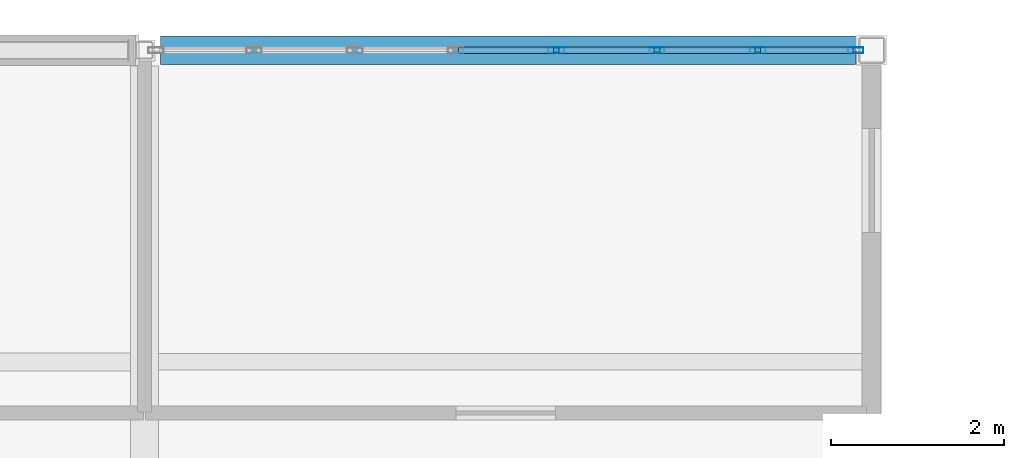
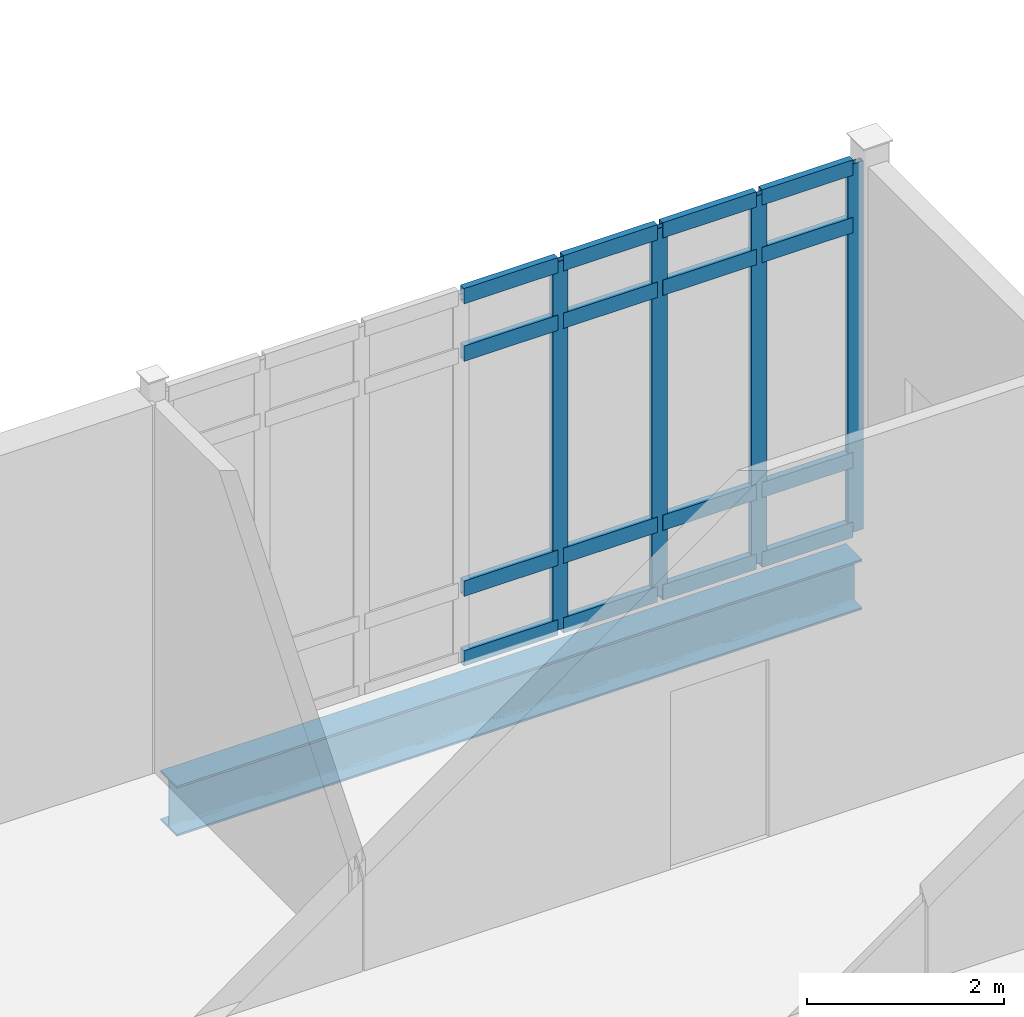
# One storey, part 71 of 153: 20 members, 1 beam, 1 element without a shape of its own.
"""IFC4 building model written with IfcOpenShell, lengths in metres."""

from ifc_helpers import new_model, si_unit, direction, frame, origin, origin_2d, place, context, subcontext, project, spatial, hollow_rectangle, i_section, extrude, material, layer, layer_set, material_profile, profile_set, type_object, element, aggregate, save


model = new_model("IFC4")

# Units and contexts
model_context = context("Model", 3, precision=1e-05, world=origin(), true_north=direction((0.0, 1.0)))
body_context = subcontext(model_context, "Body", "Model", "MODEL_VIEW")
ifc_project = project(units=[si_unit("LENGTHUNIT", "METRE"), si_unit("AREAUNIT", "SQUARE_METRE"), si_unit("VOLUMEUNIT", "CUBIC_METRE"), si_unit("PLANEANGLEUNIT", "RADIAN"), si_unit("MASSUNIT", "GRAM", prefix="KILO")], contexts=[model_context])

# Site, building, storey
site_placement = place(None, origin())
site = spatial("IfcSite", under=ifc_project, at=site_placement, CompositionType="ELEMENT")
building_placement = place(site_placement, origin())
building = spatial("IfcBuilding", under=site, at=building_placement, Name="Calvrana Isthmian Art Gallery", CompositionType="ELEMENT")
storey_placement = place(building_placement, frame((0.0, 0.0, 10.199951171875)))
storey = spatial("IfcBuildingStorey", under=building, at=storey_placement, Name="L02", CompositionType="ELEMENT", Elevation=10.199951171875)

# Beam
ifc_material_1 = material(Name="Steel ASTM A992 Gr 50", Category="steel")
ifc_material_profile_1 = material_profile(ifc_material_1, i_section(OverallWidth=0.327880859375, OverallDepth=0.6220703125, WebThickness=0.015380859375, FlangeThickness=0.0244140625, FilletRadius=0.02197265625, at=origin_2d()), Name="W24X131")
ifc_profile_set_1 = profile_set([ifc_material_profile_1], Name="Steel ASTM A992 Gr 50")
beam_type = type_object("IfcBeamType", Name="BM-G-W24X131", PredefinedType="BEAM", material=ifc_profile_set_1)
beam_placement = place(storey_placement, frame((55.386474609375, 112.800048828125, -0.575927734375), z_axis=(1.0, 0.0, 0.0), x_axis=(0.0, 1.0, 0.0)))
element("IfcBeam", 1, at=beam_placement, inside=storey, type_object=beam_type, Name="Girder X L02 08-09/P", PredefinedType="BEAM", context=body_context, shape_type="SweptSolid", body=[
    extrude(i_section(OverallWidth=0.327880859375, OverallDepth=0.6220703125, WebThickness=0.015380859375, FlangeThickness=0.0244140625, FilletRadius=0.02197265625, at=origin_2d()), origin(), (0.0, 0.0, 1.0), 8.028076171875),
])

# Curtain wall, members
ifc_material_2 = material(Name="Anodized bronze aluminium 6063-T6", Category="aluminium")
ifc_layer = layer(ifc_material_2, 0.179931640625, Name="Anodized bronze aluminium 6063-T6")
ifc_layer_set = layer_set([ifc_layer], Name="Anodized bronze aluminium 6063-T6")
curtain_wall_type = type_object("IfcCurtainWallType", Name="CW-STICK-081X46", PredefinedType="NOTDEFINED", material=ifc_layer_set)
curtain_wall_placement = place(storey_placement, origin())
curtain_wall = element("IfcCurtainWall", 2, at=curtain_wall_placement, inside=storey, type_object=curtain_wall_type, Name="Curtain wall CW-164", PredefinedType="NOTDEFINED")
ifc_material_profile_2 = material_profile(ifc_material_2, hollow_rectangle(XDim=0.06494140625, YDim=0.179931640625, WallThickness=0.00439453125, at=origin_2d()), Name="CWM65X180")
ifc_profile_set_2 = profile_set([ifc_material_profile_2], Name="Anodized bronze aluminium 6063-T6")
member_type_1 = type_object("IfcMemberType", Name="CWM-CWM65X180", PredefinedType="MULLION", material=ifc_profile_set_2)
member_1_placement = place(storey_placement, frame((59.95654296875, 112.800048828125, 0.0), z_axis=(0.0, 0.0, 1.0), x_axis=(0.0, 1.0, 0.0)))
member_1 = element("IfcMember", 3, at=member_1_placement, type_object=member_type_1, Name="CW-164 mullion 5", PredefinedType="MULLION", context=body_context, shape_type="SweptSolid", body=[
    extrude(hollow_rectangle(XDim=0.06494140625, YDim=0.179931640625, WallThickness=0.00439453125, at=origin_2d()), origin(), (0.0, 0.0, 1.0), 4.56005859375),
])
member_2_placement = place(storey_placement, frame((61.1201171875, 112.800048828125, 0.0), z_axis=(0.0, 0.0, 1.0), x_axis=(0.0, 1.0, 0.0)))
member_2 = element("IfcMember", 4, at=member_2_placement, type_object=member_type_1, Name="CW-164 mullion 6", PredefinedType="MULLION", context=body_context, shape_type="SweptSolid", body=[
    extrude(hollow_rectangle(XDim=0.06494140625, YDim=0.179931640625, WallThickness=0.00439453125, at=origin_2d()), origin(), (0.0, 0.0, 1.0), 4.56005859375),
])
member_3_placement = place(storey_placement, frame((62.283935546875, 112.800048828125, 0.0), z_axis=(0.0, 0.0, 1.0), x_axis=(0.0, 1.0, 0.0)))
member_3 = element("IfcMember", 5, at=member_3_placement, type_object=member_type_1, Name="CW-164 mullion 7", PredefinedType="MULLION", context=body_context, shape_type="SweptSolid", body=[
    extrude(hollow_rectangle(XDim=0.06494140625, YDim=0.179931640625, WallThickness=0.00439453125, at=origin_2d()), origin(), (0.0, 0.0, 1.0), 4.56005859375),
])
member_4_placement = place(storey_placement, frame((63.4150390625, 112.800048828125, 0.0), z_axis=(0.0, 0.0, 1.0), x_axis=(0.0, 1.0, 0.0)))
member_4 = element("IfcMember", 6, at=member_4_placement, type_object=member_type_1, Name="CW-164 mullion 8", PredefinedType="MULLION", context=body_context, shape_type="SweptSolid", body=[
    extrude(hollow_rectangle(XDim=0.06494140625, YDim=0.179931640625, WallThickness=0.00439453125, at=origin_2d()), origin(), (0.0, 0.0, 1.0), 4.56005859375),
])
ifc_material_profile_3 = material_profile(ifc_material_2, hollow_rectangle(XDim=0.074951171875, YDim=0.18994140625, WallThickness=0.00439453125, at=origin_2d()), Name="CWT75X190")
ifc_profile_set_3 = profile_set([ifc_material_profile_3], Name="Anodized bronze aluminium 6063-T6")
member_type_2 = type_object("IfcMemberType", Name="CWT-CWT75X190", PredefinedType="USERDEFINED", material=ifc_profile_set_3)
member_5_placement = place(storey_placement, frame((58.8251953125, 112.800048828125, 0.03759765625), z_axis=(1.0, 0.0, 0.0), x_axis=(0.0, 1.0, 0.0)))
member_5 = element("IfcMember", 7, at=member_5_placement, type_object=member_type_2, Name="CW-164 transom 4.1", ObjectType="TRANSOM", PredefinedType="USERDEFINED", context=body_context, shape_type="SweptSolid", body=[
    extrude(hollow_rectangle(XDim=0.074951171875, YDim=0.18994140625, WallThickness=0.00439453125, at=origin_2d()), origin(), (0.0, 0.0, 1.0), 1.098876953125),
])
member_6_placement = place(storey_placement, frame((58.8251953125, 112.800048828125, 0.900146484375), z_axis=(1.0, 0.0, 0.0), x_axis=(0.0, 1.0, 0.0)))
member_6 = element("IfcMember", 8, at=member_6_placement, type_object=member_type_2, Name="CW-164 transom 4.2", ObjectType="TRANSOM", PredefinedType="USERDEFINED", context=body_context, shape_type="SweptSolid", body=[
    extrude(hollow_rectangle(XDim=0.074951171875, YDim=0.18994140625, WallThickness=0.00439453125, at=origin_2d()), origin(), (0.0, 0.0, 1.0), 1.098876953125),
])
member_7_placement = place(storey_placement, frame((58.8251953125, 112.800048828125, 3.81005859375), z_axis=(1.0, 0.0, 0.0), x_axis=(0.0, 1.0, 0.0)))
member_7 = element("IfcMember", 9, at=member_7_placement, type_object=member_type_2, Name="CW-164 transom 4.3", ObjectType="TRANSOM", PredefinedType="USERDEFINED", context=body_context, shape_type="SweptSolid", body=[
    extrude(hollow_rectangle(XDim=0.074951171875, YDim=0.18994140625, WallThickness=0.00439453125, at=origin_2d()), origin(), (0.0, 0.0, 1.0), 1.098876953125),
])
member_8_placement = place(storey_placement, frame((58.8251953125, 112.800048828125, 4.5224609375), z_axis=(1.0, 0.0, 0.0), x_axis=(0.0, 1.0, 0.0)))
member_8 = element("IfcMember", 10, at=member_8_placement, type_object=member_type_2, Name="CW-164 transom 4.4", ObjectType="TRANSOM", PredefinedType="USERDEFINED", context=body_context, shape_type="SweptSolid", body=[
    extrude(hollow_rectangle(XDim=0.074951171875, YDim=0.18994140625, WallThickness=0.00439453125, at=origin_2d()), origin(), (0.0, 0.0, 1.0), 1.098876953125),
])
member_9_placement = place(storey_placement, frame((59.989013671875, 112.800048828125, 0.03759765625), z_axis=(1.0, 0.0, 0.0), x_axis=(0.0, 1.0, 0.0)))
member_9 = element("IfcMember", 11, at=member_9_placement, type_object=member_type_2, Name="CW-164 transom 5.1", ObjectType="TRANSOM", PredefinedType="USERDEFINED", context=body_context, shape_type="SweptSolid", body=[
    extrude(hollow_rectangle(XDim=0.074951171875, YDim=0.18994140625, WallThickness=0.00439453125, at=origin_2d()), origin(), (0.0, 0.0, 1.0), 1.0986328125),
])
member_10_placement = place(storey_placement, frame((59.989013671875, 112.800048828125, 0.900146484375), z_axis=(1.0, 0.0, 0.0), x_axis=(0.0, 1.0, 0.0)))
member_10 = element("IfcMember", 12, at=member_10_placement, type_object=member_type_2, Name="CW-164 transom 5.2", ObjectType="TRANSOM", PredefinedType="USERDEFINED", context=body_context, shape_type="SweptSolid", body=[
    extrude(hollow_rectangle(XDim=0.074951171875, YDim=0.18994140625, WallThickness=0.00439453125, at=origin_2d()), origin(), (0.0, 0.0, 1.0), 1.0986328125),
])
member_11_placement = place(storey_placement, frame((59.989013671875, 112.800048828125, 3.81005859375), z_axis=(1.0, 0.0, 0.0), x_axis=(0.0, 1.0, 0.0)))
member_11 = element("IfcMember", 13, at=member_11_placement, type_object=member_type_2, Name="CW-164 transom 5.3", ObjectType="TRANSOM", PredefinedType="USERDEFINED", context=body_context, shape_type="SweptSolid", body=[
    extrude(hollow_rectangle(XDim=0.074951171875, YDim=0.18994140625, WallThickness=0.00439453125, at=origin_2d()), origin(), (0.0, 0.0, 1.0), 1.0986328125),
])
member_12_placement = place(storey_placement, frame((59.989013671875, 112.800048828125, 4.5224609375), z_axis=(1.0, 0.0, 0.0), x_axis=(0.0, 1.0, 0.0)))
member_12 = element("IfcMember", 14, at=member_12_placement, type_object=member_type_2, Name="CW-164 transom 5.4", ObjectType="TRANSOM", PredefinedType="USERDEFINED", context=body_context, shape_type="SweptSolid", body=[
    extrude(hollow_rectangle(XDim=0.074951171875, YDim=0.18994140625, WallThickness=0.00439453125, at=origin_2d()), origin(), (0.0, 0.0, 1.0), 1.0986328125),
])
member_13_placement = place(storey_placement, frame((61.152587890625, 112.800048828125, 0.03759765625), z_axis=(1.0, 0.0, 0.0), x_axis=(0.0, 1.0, 0.0)))
member_13 = element("IfcMember", 15, at=member_13_placement, type_object=member_type_2, Name="CW-164 transom 6.1", ObjectType="TRANSOM", PredefinedType="USERDEFINED", context=body_context, shape_type="SweptSolid", body=[
    extrude(hollow_rectangle(XDim=0.074951171875, YDim=0.18994140625, WallThickness=0.00439453125, at=origin_2d()), origin(), (0.0, 0.0, 1.0), 1.098876953125),
])
member_14_placement = place(storey_placement, frame((61.152587890625, 112.800048828125, 0.900146484375), z_axis=(1.0, 0.0, 0.0), x_axis=(0.0, 1.0, 0.0)))
member_14 = element("IfcMember", 16, at=member_14_placement, type_object=member_type_2, Name="CW-164 transom 6.2", ObjectType="TRANSOM", PredefinedType="USERDEFINED", context=body_context, shape_type="SweptSolid", body=[
    extrude(hollow_rectangle(XDim=0.074951171875, YDim=0.18994140625, WallThickness=0.00439453125, at=origin_2d()), origin(), (0.0, 0.0, 1.0), 1.098876953125),
])
member_15_placement = place(storey_placement, frame((61.152587890625, 112.800048828125, 3.81005859375), z_axis=(1.0, 0.0, 0.0), x_axis=(0.0, 1.0, 0.0)))
member_15 = element("IfcMember", 17, at=member_15_placement, type_object=member_type_2, Name="CW-164 transom 6.3", ObjectType="TRANSOM", PredefinedType="USERDEFINED", context=body_context, shape_type="SweptSolid", body=[
    extrude(hollow_rectangle(XDim=0.074951171875, YDim=0.18994140625, WallThickness=0.00439453125, at=origin_2d()), origin(), (0.0, 0.0, 1.0), 1.098876953125),
])
member_16_placement = place(storey_placement, frame((61.152587890625, 112.800048828125, 4.5224609375), z_axis=(1.0, 0.0, 0.0), x_axis=(0.0, 1.0, 0.0)))
member_16 = element("IfcMember", 18, at=member_16_placement, type_object=member_type_2, Name="CW-164 transom 6.4", ObjectType="TRANSOM", PredefinedType="USERDEFINED", context=body_context, shape_type="SweptSolid", body=[
    extrude(hollow_rectangle(XDim=0.074951171875, YDim=0.18994140625, WallThickness=0.00439453125, at=origin_2d()), origin(), (0.0, 0.0, 1.0), 1.098876953125),
])
member_17_placement = place(storey_placement, frame((62.31640625, 112.800048828125, 0.03759765625), z_axis=(1.0, 0.0, 0.0), x_axis=(0.0, 1.0, 0.0)))
member_17 = element("IfcMember", 19, at=member_17_placement, type_object=member_type_2, Name="CW-164 transom 7.1", ObjectType="TRANSOM", PredefinedType="USERDEFINED", context=body_context, shape_type="SweptSolid", body=[
    extrude(hollow_rectangle(XDim=0.074951171875, YDim=0.18994140625, WallThickness=0.00439453125, at=origin_2d()), origin(), (0.0, 0.0, 1.0), 1.066162109375),
])
member_18_placement = place(storey_placement, frame((62.31640625, 112.800048828125, 0.900146484375), z_axis=(1.0, 0.0, 0.0), x_axis=(0.0, 1.0, 0.0)))
member_18 = element("IfcMember", 20, at=member_18_placement, type_object=member_type_2, Name="CW-164 transom 7.2", ObjectType="TRANSOM", PredefinedType="USERDEFINED", context=body_context, shape_type="SweptSolid", body=[
    extrude(hollow_rectangle(XDim=0.074951171875, YDim=0.18994140625, WallThickness=0.00439453125, at=origin_2d()), origin(), (0.0, 0.0, 1.0), 1.066162109375),
])
member_19_placement = place(storey_placement, frame((62.31640625, 112.800048828125, 3.81005859375), z_axis=(1.0, 0.0, 0.0), x_axis=(0.0, 1.0, 0.0)))
member_19 = element("IfcMember", 21, at=member_19_placement, type_object=member_type_2, Name="CW-164 transom 7.3", ObjectType="TRANSOM", PredefinedType="USERDEFINED", context=body_context, shape_type="SweptSolid", body=[
    extrude(hollow_rectangle(XDim=0.074951171875, YDim=0.18994140625, WallThickness=0.00439453125, at=origin_2d()), origin(), (0.0, 0.0, 1.0), 1.066162109375),
])
member_20_placement = place(storey_placement, frame((62.31640625, 112.800048828125, 4.5224609375), z_axis=(1.0, 0.0, 0.0), x_axis=(0.0, 1.0, 0.0)))
member_20 = element("IfcMember", 22, at=member_20_placement, type_object=member_type_2, Name="CW-164 transom 7.4", ObjectType="TRANSOM", PredefinedType="USERDEFINED", context=body_context, shape_type="SweptSolid", body=[
    extrude(hollow_rectangle(XDim=0.074951171875, YDim=0.18994140625, WallThickness=0.00439453125, at=origin_2d()), origin(), (0.0, 0.0, 1.0), 1.066162109375),
])
aggregate(curtain_wall, [member_1, member_2, member_3, member_4, member_5, member_6, member_7, member_8, member_9, member_10, member_11, member_12, member_13, member_14, member_15, member_16, member_17, member_18, member_19, member_20])

save(model, "model.ifc")
